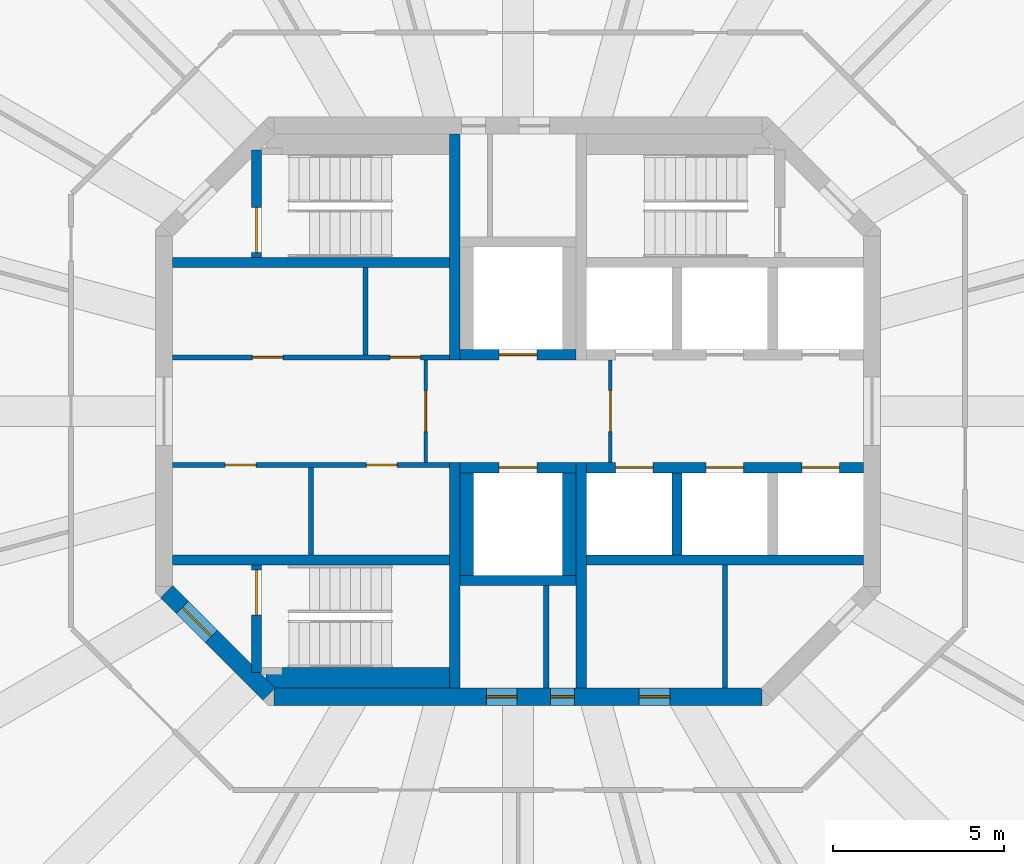
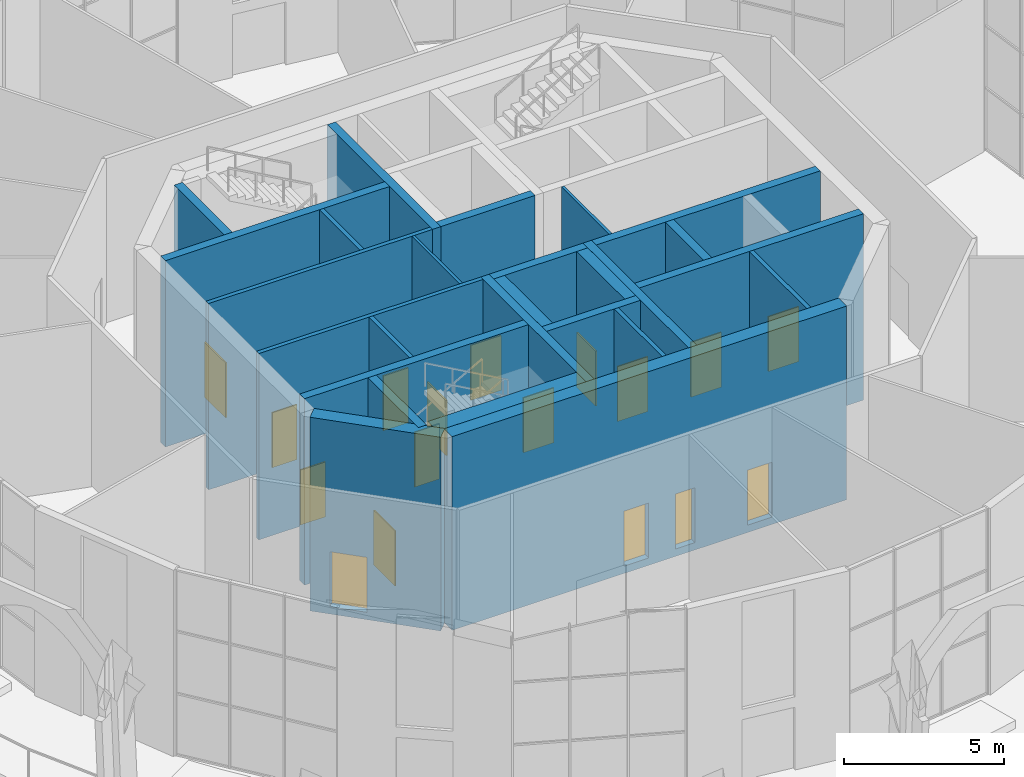
# One storey, part 11 of 17: 26 walls, 17 doors, 17 openings.
"""IFC4 building model written with IfcOpenShell, lengths in metres."""

from ifc_helpers import new_model, si_unit, direction, frame, frame_2d, origin, place, context, subcontext, project, spatial, rectangle, extrude, material, layer, layer_set, type_object, element, fill, save


model = new_model("IFC4")

# Units and contexts
model_context = context("Model", 3, precision=1e-05, world=origin(), true_north=direction((0.0, 1.0)))
body_context = subcontext(model_context, "Body", "Model", "MODEL_VIEW")
ifc_project = project(units=[si_unit("LENGTHUNIT", "METRE"), si_unit("AREAUNIT", "SQUARE_METRE"), si_unit("VOLUMEUNIT", "CUBIC_METRE"), si_unit("PLANEANGLEUNIT", "RADIAN"), si_unit("MASSUNIT", "GRAM", prefix="KILO")], contexts=[model_context])

# Site, building, storey
site_placement = place(None, origin())
site = spatial("IfcSite", under=ifc_project, at=site_placement, CompositionType="ELEMENT")
building_placement = place(site_placement, origin())
building = spatial("IfcBuilding", under=site, at=building_placement, Name="Torre Triforio", CompositionType="ELEMENT")
storey_placement = place(building_placement, frame((0.0, 0.0, 276.0)))
storey = spatial("IfcBuildingStorey", under=building, at=storey_placement, Name="L64", CompositionType="ELEMENT", Elevation=276.0)

# Walls
ifc_material_1 = material(Name="Concrete C40", Category="concrete")
ifc_layer_1 = layer(ifc_material_1, 0.300048828125)
ifc_layer_set_1 = layer_set([ifc_layer_1], Name="Concrete C40")
wall_type_1 = type_object("IfcWallType", Name="Core wall 300 mm C40 EI 120", PredefinedType="SHEAR", material=ifc_layer_set_1)
for number, where, z_axis, x_axis, name in (
    (1, (-1.85009765625, 1.5, 0.0), (0.0, 0.0, 1.0), (0.0, 1.0, 0.0), "Core wall"),
    (2, (-1.85009765625, -8.10009765625, 0.0), (0.0, 0.0, 1.0), (0.0, 1.0, 0.0), "Core wall"),
    (3, (1.85009765625, -8.10009765625, 0.0), (0.0, 0.0, 1.0), (0.0, 1.0, 0.0), "Core wall"),
):
    element("IfcWall", number, at=place(storey_placement, frame(where, z_axis=z_axis, x_axis=x_axis)), inside=storey, type_object=wall_type_1, Name=name, PredefinedType="SHEAR", context=body_context, shape_type="SweptSolid", body=[
        extrude(rectangle(XDim=6.60009765625, YDim=0.300048828125, at=frame_2d((3.300048828125, 0.0))), origin(), (0.0, 0.0, 1.0), 7.1201171875),
    ])

# Wall, openings, doors
ifc_layer_2 = layer(ifc_material_1, 0.5)
ifc_layer_set_2 = layer_set([ifc_layer_2], Name="Concrete C40")
wall_type_2 = type_object("IfcWallType", Name="Core wall 500 mm C40 EI 120", PredefinedType="SHEAR", material=ifc_layer_set_2)
wall_1_placement = place(storey_placement, frame((-7.1298828125, -8.35009765625, -0.280029296875), z_axis=(0.0, 0.0, 1.0), x_axis=(1.0, 0.0, 0.0)))
wall_1 = element("IfcWall", 4, at=wall_1_placement, inside=storey, type_object=wall_type_2, Name="Core wall", PredefinedType="SHEAR", context=body_context, shape_type="SweptSolid", body=[
    extrude(rectangle(XDim=14.259765625, YDim=0.5, at=frame_2d((7.1298828125, 0.0))), origin(), (0.0, 0.0, 1.0), 7.400146484375),
])
opening_1_placement = place(wall_1_placement, frame((8.080078125, 0.0, 0.280029296875)))
opening_1 = element("IfcOpeningElement", 5, at=opening_1_placement, cuts=wall_1, Name="Opening RISER-S", PredefinedType="OPENING", context=body_context, shape_type="SweptSolid", body=[
    extrude(rectangle(XDim=0.699951171875, YDim=2.10009765625, at=frame_2d((0.35009765625, 1.050048828125))), frame((0.0, 0.260009765625, 0.0), z_axis=(0.0, -1.0, 0.0), x_axis=(1.0, 0.0, 0.0)), (0.0, 0.0, 1.0), 0.52001953125),
])
opening_2_placement = place(wall_1_placement, frame((6.205078125, 0.0, 0.280029296875)))
opening_2 = element("IfcOpeningElement", 6, at=opening_2_placement, cuts=wall_1, Name="Opening SW-01B", PredefinedType="OPENING", context=body_context, shape_type="SweptSolid", body=[
    extrude(rectangle(XDim=0.89990234375, YDim=2.10009765625, at=frame_2d((0.449951171875, 1.050048828125))), frame((0.0, 0.260009765625, 0.0), z_axis=(0.0, -1.0, 0.0), x_axis=(1.0, 0.0, 0.0)), (0.0, 0.0, 1.0), 0.52001953125),
])
opening_3_placement = place(wall_1_placement, frame((10.66748046875, 0.0, 0.280029296875)))
opening_3 = element("IfcOpeningElement", 7, at=opening_3_placement, cuts=wall_1, Name="Opening SE-01A", PredefinedType="OPENING", context=body_context, shape_type="SweptSolid", body=[
    extrude(rectangle(XDim=0.89990234375, YDim=2.10009765625, at=frame_2d((0.449951171875, 1.050048828125))), frame((0.0, 0.260009765625, 0.0), z_axis=(0.0, -1.0, 0.0), x_axis=(1.0, 0.0, 0.0)), (0.0, 0.0, 1.0), 0.52001953125),
])
ifc_material_2 = material(Name="Hollow metal fire door leaf")
door_type_1 = type_object("IfcDoorType", Name="Riser door 700 x 2100 EI 60", OperationType="NOTDEFINED", PredefinedType="DOOR", material=ifc_material_2)
door_1_placement = place(opening_1_placement, origin())
door_1 = element("IfcDoor", 8, at=door_1_placement, inside=storey, type_object=door_type_1, Name="Core door RISER-S", OperationType="SINGLE_SWING_RIGHT", OverallHeight=2.10009765625, OverallWidth=0.699951171875, PredefinedType="DOOR", context=body_context, shape_type="SweptSolid", body=[
    extrude(rectangle(XDim=0.699951171875, YDim=2.10009765625, at=frame_2d((0.35009765625, 1.050048828125))), frame((0.0, 0.02490234375, 0.0), z_axis=(0.0, -1.0, 0.0), x_axis=(1.0, 0.0, 0.0)), (0.0, 0.0, 1.0), 0.050048828125),
])
fill(opening_1, door_1)
door_type_2 = type_object("IfcDoorType", Name="Room door 900 x 2100 EI 60", OperationType="NOTDEFINED", PredefinedType="DOOR", material=ifc_material_2)
door_2_placement = place(opening_2_placement, origin())
door_2 = element("IfcDoor", 9, at=door_2_placement, inside=storey, type_object=door_type_2, Name="Core door SW-01", OperationType="SINGLE_SWING_LEFT", OverallHeight=2.10009765625, OverallWidth=0.89990234375, PredefinedType="DOOR", context=body_context, shape_type="SweptSolid", body=[
    extrude(rectangle(XDim=0.89990234375, YDim=2.10009765625, at=frame_2d((0.449951171875, 1.050048828125))), frame((0.0, 0.02490234375, 0.0), z_axis=(0.0, -1.0, 0.0), x_axis=(1.0, 0.0, 0.0)), (0.0, 0.0, 1.0), 0.050048828125),
])
fill(opening_2, door_2)
door_3_placement = place(opening_3_placement, origin())
door_3 = element("IfcDoor", 10, at=door_3_placement, inside=storey, type_object=door_type_2, Name="Core door SE-01", OperationType="SINGLE_SWING_LEFT", OverallHeight=2.10009765625, OverallWidth=0.89990234375, PredefinedType="DOOR", context=body_context, shape_type="SweptSolid", body=[
    extrude(rectangle(XDim=0.89990234375, YDim=2.10009765625, at=frame_2d((0.449951171875, 1.050048828125))), frame((0.0, 0.02490234375, 0.0), z_axis=(0.0, -1.0, 0.0), x_axis=(1.0, 0.0, 0.0)), (0.0, 0.0, 1.0), 0.050048828125),
])
fill(opening_3, door_3)

# Wall, opening, door
wall_2_placement = place(storey_placement, frame((-7.27685546875, -8.27685546875, -0.280029296875), z_axis=(0.0, 0.0, 1.0), x_axis=(-0.707106781187, 0.707106781187, 0.0)))
wall_2 = element("IfcWall", 11, at=wall_2_placement, inside=storey, type_object=wall_type_2, Name="Core wall", PredefinedType="SHEAR", context=body_context, shape_type="SweptSolid", body=[
    extrude(rectangle(XDim=4.24267578125, YDim=0.5, at=frame_2d((2.121337890625, 0.0))), origin(), (0.0, 0.0, 1.0), 7.400146484375),
])
opening_4_placement = place(wall_2_placement, frame((2.392578125, 0.0, 0.280029296875)))
opening_4 = element("IfcOpeningElement", 12, at=opening_4_placement, cuts=wall_2, Name="Opening ST3-EXIT", PredefinedType="OPENING", context=body_context, shape_type="SweptSolid", body=[
    extrude(rectangle(XDim=1.199951171875, YDim=2.10009765625, at=frame_2d((0.60009765625, 1.050048828125))), frame((0.0, 0.260009765625, 0.0), z_axis=(0.0, -1.0, 0.0), x_axis=(1.0, 0.0, 0.0)), (0.0, 0.0, 1.0), 0.52001953125),
])
door_type_3 = type_object("IfcDoorType", Name="Stair lobby door 1200 x 2100 EI 60", OperationType="NOTDEFINED", PredefinedType="DOOR", material=ifc_material_2)
door_4_placement = place(opening_4_placement, origin())
door_4 = element("IfcDoor", 13, at=door_4_placement, inside=storey, type_object=door_type_3, Name="Core door ST3-EXIT", OperationType="SINGLE_SWING_RIGHT", OverallHeight=2.10009765625, OverallWidth=1.199951171875, PredefinedType="DOOR", context=body_context, shape_type="SweptSolid", body=[
    extrude(rectangle(XDim=1.199951171875, YDim=2.10009765625, at=frame_2d((0.60009765625, 1.050048828125))), frame((0.0, 0.02490234375, 0.0), z_axis=(0.0, -1.0, 0.0), x_axis=(1.0, 0.0, 0.0)), (0.0, 0.0, 1.0), 0.050048828125),
])
fill(opening_4, door_4)

ifc_material_3 = material(Name="Block and board partition")
ifc_layer_3 = layer(ifc_material_3, 0.10009765625)
ifc_layer_set_3 = layer_set([ifc_layer_3], Name="Block and board partition")
wall_type_3 = type_object("IfcWallType", Name="Partition 100 mm EI 120", PredefinedType="PARTITIONING", material=ifc_layer_set_3)
wall_3_placement = place(storey_placement, frame((-2.699951171875, -1.5, 0.0), z_axis=(0.0, 0.0, 1.0), x_axis=(0.0, 1.0, 0.0)))
wall_3 = element("IfcWall", 14, at=wall_3_placement, inside=storey, type_object=wall_type_3, Name="Partition", PredefinedType="PARTITIONING", context=body_context, shape_type="SweptSolid", body=[
    extrude(rectangle(XDim=3.0, YDim=0.10009765625, at=frame_2d((1.5, 0.0))), origin(), (0.0, 0.0, 1.0), 7.1201171875),
])
opening_5_placement = place(wall_3_placement, frame((0.89990234375, 0.0, 0.0)))
opening_5 = element("IfcOpeningElement", 15, at=opening_5_placement, cuts=wall_3, Name="Opening FF-W", PredefinedType="OPENING", context=body_context, shape_type="SweptSolid", body=[
    extrude(rectangle(XDim=1.199951171875, YDim=2.10009765625, at=frame_2d((0.60009765625, 1.050048828125))), frame((0.0, 0.06005859375, 0.0), z_axis=(0.0, -1.0, 0.0), x_axis=(1.0, 0.0, 0.0)), (0.0, 0.0, 1.0), 0.1201171875),
])
door_type_4 = type_object("IfcDoorType", Name="Fire-fighting lobby door 1200 x 2100 EI 60", OperationType="NOTDEFINED", PredefinedType="DOOR", material=ifc_material_2)
door_5_placement = place(opening_5_placement, origin())
door_5 = element("IfcDoor", 16, at=door_5_placement, inside=storey, type_object=door_type_4, Name="Core door FF-W", OperationType="SINGLE_SWING_LEFT", OverallHeight=2.10009765625, OverallWidth=1.199951171875, PredefinedType="DOOR", context=body_context, shape_type="SweptSolid", body=[
    extrude(rectangle(XDim=1.199951171875, YDim=2.10009765625, at=frame_2d((0.60009765625, 1.050048828125))), frame((0.0, 0.02490234375, 0.0), z_axis=(0.0, -1.0, 0.0), x_axis=(1.0, 0.0, 0.0)), (0.0, 0.0, 1.0), 0.050048828125),
])
fill(opening_5, door_5)

wall_4_placement = place(storey_placement, frame((2.699951171875, -1.5, 0.0), z_axis=(0.0, 0.0, 1.0), x_axis=(0.0, 1.0, 0.0)))
wall_4 = element("IfcWall", 17, at=wall_4_placement, inside=storey, type_object=wall_type_3, Name="Partition", PredefinedType="PARTITIONING", context=body_context, shape_type="SweptSolid", body=[
    extrude(rectangle(XDim=3.0, YDim=0.10009765625, at=frame_2d((1.5, 0.0))), origin(), (0.0, 0.0, 1.0), 7.1201171875),
])
opening_6_placement = place(wall_4_placement, frame((0.89990234375, 0.0, 0.0)))
opening_6 = element("IfcOpeningElement", 18, at=opening_6_placement, cuts=wall_4, Name="Opening FF-E", PredefinedType="OPENING", context=body_context, shape_type="SweptSolid", body=[
    extrude(rectangle(XDim=1.199951171875, YDim=2.10009765625, at=frame_2d((0.60009765625, 1.050048828125))), frame((0.0, 0.06005859375, 0.0), z_axis=(0.0, -1.0, 0.0), x_axis=(1.0, 0.0, 0.0)), (0.0, 0.0, 1.0), 0.1201171875),
])
door_6_placement = place(opening_6_placement, origin())
door_6 = element("IfcDoor", 19, at=door_6_placement, inside=storey, type_object=door_type_4, Name="Core door FF-E", OperationType="SINGLE_SWING_LEFT", OverallHeight=2.10009765625, OverallWidth=1.199951171875, PredefinedType="DOOR", context=body_context, shape_type="SweptSolid", body=[
    extrude(rectangle(XDim=1.199951171875, YDim=2.10009765625, at=frame_2d((0.60009765625, 1.050048828125))), frame((0.0, 0.02490234375, 0.0), z_axis=(0.0, -1.0, 0.0), x_axis=(1.0, 0.0, 0.0)), (0.0, 0.0, 1.0), 0.050048828125),
])
fill(opening_6, door_6)

# Walls
ifc_layer_4 = layer(ifc_material_3, 0.14990234375)
ifc_layer_set_4 = layer_set([ifc_layer_4], Name="Block and board partition")
wall_type_4 = type_object("IfcWallType", Name="Partition 150 mm", PredefinedType="PARTITIONING", material=ifc_layer_set_4)
wall_5_placement = place(storey_placement, frame((6.050048828125, -8.10009765625, 0.0), z_axis=(0.0, 0.0, 1.0), x_axis=(0.0, 1.0, 0.0)))
element("IfcWall", 20, at=wall_5_placement, inside=storey, type_object=wall_type_4, Name="Partition", PredefinedType="PARTITIONING", context=body_context, shape_type="SweptSolid", body=[
    extrude(rectangle(XDim=3.60009765625, YDim=0.14990234375, at=frame_2d((1.800048828125, 0.0))), origin(), (0.0, 0.0, 1.0), 7.1201171875),
])
for number, where, z_axis, x_axis, name in (
    (21, (-4.4599609375, 1.64990234375, 0.0), (0.0, 0.0, 1.0), (0.0, 1.0, 0.0), "Partition"),
    (22, (-6.050048828125, -4.199951171875, 0.0), (0.0, 0.0, 1.0), (0.0, 1.0, 0.0), "Partition"),
):
    element("IfcWall", number, at=place(storey_placement, frame(where, z_axis=z_axis, x_axis=x_axis)), inside=storey, type_object=wall_type_4, Name=name, PredefinedType="PARTITIONING", context=body_context, shape_type="SweptSolid", body=[
        extrude(rectangle(XDim=2.550048828125, YDim=0.14990234375, at=frame_2d((1.27490234375, 0.0))), origin(), (0.0, 0.0, 1.0), 7.1201171875),
    ])
ifc_layer_5 = layer(ifc_material_3, 0.14990234375)
ifc_layer_set_5 = layer_set([ifc_layer_5], Name="Block and board partition")
wall_type_5 = type_object("IfcWallType", Name="Partition 150 mm EI 120", PredefinedType="PARTITIONING", material=ifc_layer_set_5)
wall_6_placement = place(storey_placement, frame((0.824951171875, -8.10009765625, 0.0), z_axis=(0.0, 0.0, 1.0), x_axis=(0.0, 1.0, 0.0)))
element("IfcWall", 23, at=wall_6_placement, inside=storey, type_object=wall_type_5, Name="Partition", PredefinedType="PARTITIONING", context=body_context, shape_type="SweptSolid", body=[
    extrude(rectangle(XDim=3.0, YDim=0.14990234375, at=frame_2d((1.5, 0.0))), origin(), (0.0, 0.0, 1.0), 7.1201171875),
])

# Wall, openings, doors
wall_7_placement = place(storey_placement, frame((-10.10009765625, 1.574951171875, 0.0), z_axis=(0.0, 0.0, 1.0), x_axis=(1.0, 0.0, 0.0)))
wall_7 = element("IfcWall", 24, at=wall_7_placement, inside=storey, type_object=wall_type_5, Name="Partition", PredefinedType="PARTITIONING", context=body_context, shape_type="SweptSolid", body=[
    extrude(rectangle(XDim=8.10009765625, YDim=0.14990234375, at=frame_2d((4.050048828125, 0.0))), origin(), (0.0, 0.0, 1.0), 7.1201171875),
])
opening_7_placement = place(wall_7_placement, frame((2.33251953125, 0.0, 0.0)))
opening_7 = element("IfcOpeningElement", 25, at=opening_7_placement, cuts=wall_7, Name="Opening FN-01", PredefinedType="OPENING", context=body_context, shape_type="SweptSolid", body=[
    extrude(rectangle(XDim=0.89990234375, YDim=2.10009765625, at=frame_2d((0.449951171875, 1.050048828125))), frame((0.0, 0.0849609375, 0.0), z_axis=(0.0, -1.0, 0.0), x_axis=(1.0, 0.0, 0.0)), (0.0, 0.0, 1.0), 0.169921875),
])
opening_8_placement = place(wall_7_placement, frame((6.35009765625, 0.0, 0.0)))
opening_8 = element("IfcOpeningElement", 26, at=opening_8_placement, cuts=wall_7, Name="Opening FN-02A", PredefinedType="OPENING", context=body_context, shape_type="SweptSolid", body=[
    extrude(rectangle(XDim=0.89990234375, YDim=2.10009765625, at=frame_2d((0.449951171875, 1.050048828125))), frame((0.0, 0.0849609375, 0.0), z_axis=(0.0, -1.0, 0.0), x_axis=(1.0, 0.0, 0.0)), (0.0, 0.0, 1.0), 0.169921875),
])
door_type_5 = type_object("IfcDoorType", Name="Plant room door 900 x 2100 EI 60", OperationType="NOTDEFINED", PredefinedType="DOOR", material=ifc_material_2)
door_7_placement = place(opening_8_placement, origin())
door_7 = element("IfcDoor", 27, at=door_7_placement, inside=storey, type_object=door_type_5, Name="Core door FN-02", OperationType="SINGLE_SWING_RIGHT", OverallHeight=2.10009765625, OverallWidth=0.89990234375, PredefinedType="DOOR", context=body_context, shape_type="SweptSolid", body=[
    extrude(rectangle(XDim=0.89990234375, YDim=2.10009765625, at=frame_2d((0.449951171875, 1.050048828125))), frame((0.0, 0.02490234375, 0.0), z_axis=(0.0, -1.0, 0.0), x_axis=(1.0, 0.0, 0.0)), (0.0, 0.0, 1.0), 0.050048828125),
])
fill(opening_8, door_7)
door_8_placement = place(opening_7_placement, origin())
door_8 = element("IfcDoor", 28, at=door_8_placement, inside=storey, type_object=door_type_2, Name="Core door FN-01", OperationType="SINGLE_SWING_RIGHT", OverallHeight=2.10009765625, OverallWidth=0.89990234375, PredefinedType="DOOR", context=body_context, shape_type="SweptSolid", body=[
    extrude(rectangle(XDim=0.89990234375, YDim=2.10009765625, at=frame_2d((0.449951171875, 1.050048828125))), frame((0.0, 0.02490234375, 0.0), z_axis=(0.0, -1.0, 0.0), x_axis=(1.0, 0.0, 0.0)), (0.0, 0.0, 1.0), 0.050048828125),
])
fill(opening_7, door_8)

wall_8_placement = place(storey_placement, frame((-10.10009765625, -1.574951171875, 0.0), z_axis=(0.0, 0.0, 1.0), x_axis=(1.0, 0.0, 0.0)))
wall_8 = element("IfcWall", 29, at=wall_8_placement, inside=storey, type_object=wall_type_5, Name="Partition", PredefinedType="PARTITIONING", context=body_context, shape_type="SweptSolid", body=[
    extrude(rectangle(XDim=8.10009765625, YDim=0.14990234375, at=frame_2d((4.050048828125, 0.0))), origin(), (0.0, 0.0, 1.0), 7.1201171875),
])
opening_9_placement = place(wall_8_placement, frame((1.53759765625, 0.0, 0.0)))
opening_9 = element("IfcOpeningElement", 30, at=opening_9_placement, cuts=wall_8, Name="Opening FS-01", PredefinedType="OPENING", context=body_context, shape_type="SweptSolid", body=[
    extrude(rectangle(XDim=0.89990234375, YDim=2.10009765625, at=frame_2d((0.449951171875, 1.050048828125))), frame((0.0, 0.0849609375, 0.0), z_axis=(0.0, -1.0, 0.0), x_axis=(1.0, 0.0, 0.0)), (0.0, 0.0, 1.0), 0.169921875),
])
opening_10_placement = place(wall_8_placement, frame((5.66259765625, 0.0, 0.0)))
opening_10 = element("IfcOpeningElement", 31, at=opening_10_placement, cuts=wall_8, Name="Opening FS-02", PredefinedType="OPENING", context=body_context, shape_type="SweptSolid", body=[
    extrude(rectangle(XDim=0.89990234375, YDim=2.10009765625, at=frame_2d((0.449951171875, 1.050048828125))), frame((0.0, 0.0849609375, 0.0), z_axis=(0.0, -1.0, 0.0), x_axis=(1.0, 0.0, 0.0)), (0.0, 0.0, 1.0), 0.169921875),
])
door_9_placement = place(opening_9_placement, origin())
door_9 = element("IfcDoor", 32, at=door_9_placement, inside=storey, type_object=door_type_2, Name="Core door FS-01", OperationType="SINGLE_SWING_LEFT", OverallHeight=2.10009765625, OverallWidth=0.89990234375, PredefinedType="DOOR", context=body_context, shape_type="SweptSolid", body=[
    extrude(rectangle(XDim=0.89990234375, YDim=2.10009765625, at=frame_2d((0.449951171875, 1.050048828125))), frame((0.0, 0.02490234375, 0.0), z_axis=(0.0, -1.0, 0.0), x_axis=(1.0, 0.0, 0.0)), (0.0, 0.0, 1.0), 0.050048828125),
])
fill(opening_9, door_9)
door_10_placement = place(opening_10_placement, origin())
door_10 = element("IfcDoor", 33, at=door_10_placement, inside=storey, type_object=door_type_2, Name="Core door FS-02", OperationType="SINGLE_SWING_LEFT", OverallHeight=2.10009765625, OverallWidth=0.89990234375, PredefinedType="DOOR", context=body_context, shape_type="SweptSolid", body=[
    extrude(rectangle(XDim=0.89990234375, YDim=2.10009765625, at=frame_2d((0.449951171875, 1.050048828125))), frame((0.0, 0.02490234375, 0.0), z_axis=(0.0, -1.0, 0.0), x_axis=(1.0, 0.0, 0.0)), (0.0, 0.0, 1.0), 0.050048828125),
])
fill(opening_10, door_10)

# Walls
ifc_layer_6 = layer(ifc_material_1, 0.300048828125)
ifc_layer_set_6 = layer_set([ifc_layer_6], Name="Concrete C40")
wall_type_6 = type_object("IfcWallType", Name="Shaft wall 300 mm C40 EI 120", PredefinedType="SOLIDWALL", material=ifc_layer_set_6)
for number, where, z_axis, x_axis, name in (
    (34, (-10.10009765625, 4.35009765625, 0.0), (0.0, 0.0, 1.0), (1.0, 0.0, 0.0), "Shaft wall"),
    (35, (-10.10009765625, -4.35009765625, 0.0), (0.0, 0.0, 1.0), (1.0, 0.0, 0.0), "Shaft wall"),
    (36, (2.0, -4.35009765625, 0.0), (0.0, 0.0, 1.0), (1.0, 0.0, 0.0), "Shaft wall"),
):
    element("IfcWall", number, at=place(storey_placement, frame(where, z_axis=z_axis, x_axis=x_axis)), inside=storey, type_object=wall_type_6, Name=name, PredefinedType="SOLIDWALL", context=body_context, shape_type="SweptSolid", body=[
        extrude(rectangle(XDim=8.10009765625, YDim=0.300048828125, at=frame_2d((4.050048828125, 0.0))), origin(), (0.0, 0.0, 1.0), 7.1201171875),
    ])

# Wall, openings, doors
wall_9_placement = place(storey_placement, frame((2.0, -1.64990234375, 0.0), z_axis=(0.0, 0.0, 1.0), x_axis=(1.0, 0.0, 0.0)))
wall_9 = element("IfcWall", 37, at=wall_9_placement, inside=storey, type_object=wall_type_6, Name="Shaft wall", PredefinedType="SOLIDWALL", context=body_context, shape_type="SweptSolid", body=[
    extrude(rectangle(XDim=8.10009765625, YDim=0.300048828125, at=frame_2d((4.050048828125, 0.0))), origin(), (0.0, 0.0, 1.0), 7.1201171875),
])
opening_11_placement = place(wall_9_placement, frame((0.85009765625, 0.0, 0.0)))
opening_11 = element("IfcOpeningElement", 38, at=opening_11_placement, cuts=wall_9, Name="Opening LD", PredefinedType="OPENING", context=body_context, shape_type="SweptSolid", body=[
    extrude(rectangle(XDim=1.10009765625, YDim=2.10009765625, at=frame_2d((0.550048828125, 1.050048828125))), frame((0.0, 0.159912109375, 0.0), z_axis=(0.0, -1.0, 0.0), x_axis=(1.0, 0.0, 0.0)), (0.0, 0.0, 1.0), 0.320068359375),
])
opening_12_placement = place(wall_9_placement, frame((3.5, 0.0, 0.0)))
opening_12 = element("IfcOpeningElement", 39, at=opening_12_placement, cuts=wall_9, Name="Opening LD", PredefinedType="OPENING", context=body_context, shape_type="SweptSolid", body=[
    extrude(rectangle(XDim=1.10009765625, YDim=2.10009765625, at=frame_2d((0.550048828125, 1.050048828125))), frame((0.0, 0.159912109375, 0.0), z_axis=(0.0, -1.0, 0.0), x_axis=(1.0, 0.0, 0.0)), (0.0, 0.0, 1.0), 0.320068359375),
])
opening_13_placement = place(wall_9_placement, frame((6.300048828125, 0.0, 0.0)))
opening_13 = element("IfcOpeningElement", 40, at=opening_13_placement, cuts=wall_9, Name="Opening LD", PredefinedType="OPENING", context=body_context, shape_type="SweptSolid", body=[
    extrude(rectangle(XDim=1.10009765625, YDim=2.10009765625, at=frame_2d((0.550048828125, 1.050048828125))), frame((0.0, 0.159912109375, 0.0), z_axis=(0.0, -1.0, 0.0), x_axis=(1.0, 0.0, 0.0)), (0.0, 0.0, 1.0), 0.320068359375),
])
door_type_6 = type_object("IfcDoorType", Name="Landing door 1100 x 2100 EI 60", OperationType="DOUBLE_DOOR_SLIDING", PredefinedType="DOOR", material=ifc_material_2)
door_11_placement = place(opening_11_placement, origin())
door_11 = element("IfcDoor", 41, at=door_11_placement, inside=storey, type_object=door_type_6, Name="Landing door HR4", OperationType="DOUBLE_DOOR_SLIDING", OverallHeight=2.10009765625, OverallWidth=1.10009765625, PredefinedType="DOOR", context=body_context, shape_type="SweptSolid", body=[
    extrude(rectangle(XDim=1.10009765625, YDim=2.10009765625, at=frame_2d((0.550048828125, 1.050048828125))), frame((0.0, 0.02490234375, 0.0), z_axis=(0.0, -1.0, 0.0), x_axis=(1.0, 0.0, 0.0)), (0.0, 0.0, 1.0), 0.050048828125),
])
fill(opening_11, door_11)
door_12_placement = place(opening_12_placement, origin())
door_12 = element("IfcDoor", 42, at=door_12_placement, inside=storey, type_object=door_type_6, Name="Landing door HR5", OperationType="DOUBLE_DOOR_SLIDING", OverallHeight=2.10009765625, OverallWidth=1.10009765625, PredefinedType="DOOR", context=body_context, shape_type="SweptSolid", body=[
    extrude(rectangle(XDim=1.10009765625, YDim=2.10009765625, at=frame_2d((0.550048828125, 1.050048828125))), frame((0.0, 0.02490234375, 0.0), z_axis=(0.0, -1.0, 0.0), x_axis=(1.0, 0.0, 0.0)), (0.0, 0.0, 1.0), 0.050048828125),
])
fill(opening_12, door_12)
door_13_placement = place(opening_13_placement, origin())
door_13 = element("IfcDoor", 43, at=door_13_placement, inside=storey, type_object=door_type_6, Name="Landing door HR6", OperationType="DOUBLE_DOOR_SLIDING", OverallHeight=2.10009765625, OverallWidth=1.10009765625, PredefinedType="DOOR", context=body_context, shape_type="SweptSolid", body=[
    extrude(rectangle(XDim=1.10009765625, YDim=2.10009765625, at=frame_2d((0.550048828125, 1.050048828125))), frame((0.0, 0.02490234375, 0.0), z_axis=(0.0, -1.0, 0.0), x_axis=(1.0, 0.0, 0.0)), (0.0, 0.0, 1.0), 0.050048828125),
])
fill(opening_13, door_13)

# Wall
wall_10_placement = place(storey_placement, frame((4.64990234375, -4.199951171875, 0.0), z_axis=(0.0, 0.0, 1.0), x_axis=(0.0, 1.0, 0.0)))
element("IfcWall", 44, at=wall_10_placement, inside=storey, type_object=wall_type_6, Name="Shaft wall", PredefinedType="SOLIDWALL", context=body_context, shape_type="SweptSolid", body=[
    extrude(rectangle(XDim=2.39990234375, YDim=0.300048828125, at=frame_2d((1.199951171875, 0.0))), origin(), (0.0, 0.0, 1.0), 7.1201171875),
])

# Wall, opening, door
wall_11_placement = place(storey_placement, frame((-1.699951171875, 1.64990234375, 0.0), z_axis=(0.0, 0.0, 1.0), x_axis=(1.0, 0.0, 0.0)))
wall_11 = element("IfcWall", 45, at=wall_11_placement, inside=storey, type_object=wall_type_6, Name="Shaft wall", PredefinedType="SOLIDWALL", context=body_context, shape_type="SweptSolid", body=[
    extrude(rectangle(XDim=3.39990234375, YDim=0.300048828125, at=frame_2d((1.699951171875, 0.0))), origin(), (0.0, 0.0, 1.0), 7.1201171875),
])
opening_14_placement = place(wall_11_placement, frame((1.14990234375, 0.0, 0.0)))
opening_14 = element("IfcOpeningElement", 46, at=opening_14_placement, cuts=wall_11, Name="Opening LD", PredefinedType="OPENING", context=body_context, shape_type="SweptSolid", body=[
    extrude(rectangle(XDim=1.10009765625, YDim=2.10009765625, at=frame_2d((0.550048828125, 1.050048828125))), frame((0.0, 0.159912109375, 0.0), z_axis=(0.0, -1.0, 0.0), x_axis=(1.0, 0.0, 0.0)), (0.0, 0.0, 1.0), 0.320068359375),
])
door_14_placement = place(opening_14_placement, origin())
door_14 = element("IfcDoor", 47, at=door_14_placement, inside=storey, type_object=door_type_6, Name="Landing door FFL1", OperationType="DOUBLE_DOOR_SLIDING", OverallHeight=2.10009765625, OverallWidth=1.10009765625, PredefinedType="DOOR", context=body_context, shape_type="SweptSolid", body=[
    extrude(rectangle(XDim=1.10009765625, YDim=2.10009765625, at=frame_2d((0.550048828125, 1.050048828125))), frame((0.0, 0.02490234375, 0.0), z_axis=(0.0, -1.0, 0.0), x_axis=(1.0, 0.0, 0.0)), (0.0, 0.0, 1.0), 0.050048828125),
])
fill(opening_14, door_14)

wall_12_placement = place(storey_placement, frame((-1.699951171875, -1.64990234375, 0.0), z_axis=(0.0, 0.0, 1.0), x_axis=(1.0, 0.0, 0.0)))
wall_12 = element("IfcWall", 48, at=wall_12_placement, inside=storey, type_object=wall_type_6, Name="Shaft wall", PredefinedType="SOLIDWALL", context=body_context, shape_type="SweptSolid", body=[
    extrude(rectangle(XDim=3.39990234375, YDim=0.300048828125, at=frame_2d((1.699951171875, 0.0))), origin(), (0.0, 0.0, 1.0), 7.1201171875),
])
opening_15_placement = place(wall_12_placement, frame((1.14990234375, 0.0, 0.0)))
opening_15 = element("IfcOpeningElement", 49, at=opening_15_placement, cuts=wall_12, Name="Opening LD", PredefinedType="OPENING", context=body_context, shape_type="SweptSolid", body=[
    extrude(rectangle(XDim=1.10009765625, YDim=2.10009765625, at=frame_2d((0.550048828125, 1.050048828125))), frame((0.0, 0.159912109375, 0.0), z_axis=(0.0, -1.0, 0.0), x_axis=(1.0, 0.0, 0.0)), (0.0, 0.0, 1.0), 0.320068359375),
])
door_15_placement = place(opening_15_placement, origin())
door_15 = element("IfcDoor", 50, at=door_15_placement, inside=storey, type_object=door_type_6, Name="Landing door FFL2", OperationType="DOUBLE_DOOR_SLIDING", OverallHeight=2.10009765625, OverallWidth=1.10009765625, PredefinedType="DOOR", context=body_context, shape_type="SweptSolid", body=[
    extrude(rectangle(XDim=1.10009765625, YDim=2.10009765625, at=frame_2d((0.550048828125, 1.050048828125))), frame((0.0, 0.02490234375, 0.0), z_axis=(0.0, -1.0, 0.0), x_axis=(1.0, 0.0, 0.0)), (0.0, 0.0, 1.0), 0.050048828125),
])
fill(opening_15, door_15)

# Walls
wall_13_placement = place(storey_placement, frame((-1.699951171875, -4.949951171875, 0.0), z_axis=(0.0, 0.0, 1.0), x_axis=(1.0, 0.0, 0.0)))
element("IfcWall", 51, at=wall_13_placement, inside=storey, type_object=wall_type_6, Name="Shaft wall", PredefinedType="SOLIDWALL", context=body_context, shape_type="SweptSolid", body=[
    extrude(rectangle(XDim=3.39990234375, YDim=0.300048828125, at=frame_2d((1.699951171875, 0.0))), origin(), (0.0, 0.0, 1.0), 7.1201171875),
])
ifc_layer_7 = layer(ifc_material_1, 0.39990234375)
ifc_layer_set_7 = layer_set([ifc_layer_7], Name="Concrete C40")
wall_type_7 = type_object("IfcWallType", Name="Shaft wall 400 mm C40 EI 120", PredefinedType="SOLIDWALL", material=ifc_layer_set_7)
for number, where, z_axis, x_axis, name in (
    (52, (-1.5, -4.800048828125, 0.0), (0.0, 0.0, 1.0), (0.0, 1.0, 0.0), "Shaft wall"),
    (53, (1.5, -4.800048828125, 0.0), (0.0, 0.0, 1.0), (0.0, 1.0, 0.0), "Shaft wall"),
):
    element("IfcWall", number, at=place(storey_placement, frame(where, z_axis=z_axis, x_axis=x_axis)), inside=storey, type_object=wall_type_7, Name=name, PredefinedType="SOLIDWALL", context=body_context, shape_type="SweptSolid", body=[
        extrude(rectangle(XDim=3.0, YDim=0.39990234375, at=frame_2d((1.5, 0.0))), origin(), (0.0, 0.0, 1.0), 7.1201171875),
    ])

# Wall, opening, door
ifc_layer_8 = layer(ifc_material_1, 0.300048828125)
ifc_layer_set_8 = layer_set([ifc_layer_8], Name="Concrete C40")
wall_type_8 = type_object("IfcWallType", Name="Stair wall 300 mm C40 EI 120", PredefinedType="SHEAR", material=ifc_layer_set_8)
wall_14_placement = place(storey_placement, frame((-7.64990234375, 4.5, 0.0), z_axis=(0.0, 0.0, 1.0), x_axis=(0.0, 1.0, 0.0)))
wall_14 = element("IfcWall", 54, at=wall_14_placement, inside=storey, type_object=wall_type_8, Name="Stair wall", PredefinedType="SHEAR", context=body_context, shape_type="SweptSolid", body=[
    extrude(rectangle(XDim=3.139892578125, YDim=0.300048828125, at=frame_2d((1.56982421875, 0.0))), origin(), (0.0, 0.0, 1.0), 7.1201171875),
])
opening_16_placement = place(wall_14_placement, frame((0.139892578125, 0.0, 0.0)))
opening_16 = element("IfcOpeningElement", 55, at=opening_16_placement, cuts=wall_14, Name="Opening ST1-STA", PredefinedType="OPENING", context=body_context, shape_type="SweptSolid", body=[
    extrude(rectangle(XDim=1.320068359375, YDim=2.10009765625, at=frame_2d((0.66015625, 1.050048828125))), frame((0.0, 0.159912109375, 0.0), z_axis=(0.0, -1.0, 0.0), x_axis=(1.0, 0.0, 0.0)), (0.0, 0.0, 1.0), 0.320068359375),
])
door_type_7 = type_object("IfcDoorType", Name="Stair door 1320 x 2100 EI 90", OperationType="DOUBLE_DOOR_SINGLE_SWING", PredefinedType="DOOR", material=ifc_material_2)
door_16_placement = place(opening_16_placement, origin())
door_16 = element("IfcDoor", 56, at=door_16_placement, inside=storey, type_object=door_type_7, Name="Core door ST1-ST", OperationType="DOUBLE_DOOR_SINGLE_SWING", OverallHeight=2.10009765625, OverallWidth=1.320068359375, PredefinedType="DOOR", context=body_context, shape_type="SweptSolid", body=[
    extrude(rectangle(XDim=1.320068359375, YDim=2.10009765625, at=frame_2d((0.66015625, 1.050048828125))), frame((0.0, 0.02490234375, 0.0), z_axis=(0.0, -1.0, 0.0), x_axis=(1.0, 0.0, 0.0)), (0.0, 0.0, 1.0), 0.050048828125),
])
fill(opening_16, door_16)

wall_15_placement = place(storey_placement, frame((-7.64990234375, -7.639892578125, 0.0), z_axis=(0.0, 0.0, 1.0), x_axis=(0.0, 1.0, 0.0)))
wall_15 = element("IfcWall", 57, at=wall_15_placement, inside=storey, type_object=wall_type_8, Name="Stair wall", PredefinedType="SHEAR", context=body_context, shape_type="SweptSolid", body=[
    extrude(rectangle(XDim=3.139892578125, YDim=0.300048828125, at=frame_2d((1.56982421875, 0.0))), origin(), (0.0, 0.0, 1.0), 7.1201171875),
])
opening_17_placement = place(wall_15_placement, frame((1.679931640625, 0.0, 0.0)))
opening_17 = element("IfcOpeningElement", 58, at=opening_17_placement, cuts=wall_15, Name="Opening ST3-STA", PredefinedType="OPENING", context=body_context, shape_type="SweptSolid", body=[
    extrude(rectangle(XDim=1.320068359375, YDim=2.10009765625, at=frame_2d((0.66015625, 1.050048828125))), frame((0.0, 0.159912109375, 0.0), z_axis=(0.0, -1.0, 0.0), x_axis=(1.0, 0.0, 0.0)), (0.0, 0.0, 1.0), 0.320068359375),
])
door_17_placement = place(opening_17_placement, origin())
door_17 = element("IfcDoor", 59, at=door_17_placement, inside=storey, type_object=door_type_7, Name="Core door ST3-ST", OperationType="DOUBLE_DOOR_SINGLE_SWING", OverallHeight=2.10009765625, OverallWidth=1.320068359375, PredefinedType="DOOR", context=body_context, shape_type="SweptSolid", body=[
    extrude(rectangle(XDim=1.320068359375, YDim=2.10009765625, at=frame_2d((0.66015625, 1.050048828125))), frame((0.0, 0.02490234375, 0.0), z_axis=(0.0, -1.0, 0.0), x_axis=(1.0, 0.0, 0.0)), (0.0, 0.0, 1.0), 0.050048828125),
])
fill(opening_17, door_17)

# Wall
ifc_layer_9 = layer(ifc_material_1, 0.60009765625)
ifc_layer_set_9 = layer_set([ifc_layer_9], Name="Concrete C40")
wall_type_9 = type_object("IfcWallType", Name="Stair wall 600 mm C40 EI 120", PredefinedType="SHEAR", material=ifc_layer_set_9)
wall_16_placement = place(storey_placement, frame((-7.3701171875, -7.800048828125, 0.0), z_axis=(0.0, 0.0, 1.0), x_axis=(1.0, 0.0, 0.0)))
element("IfcWall", 60, at=wall_16_placement, inside=storey, type_object=wall_type_9, Name="Stair wall", PredefinedType="SHEAR", context=body_context, shape_type="SweptSolid", body=[
    extrude(rectangle(XDim=5.3701171875, YDim=0.60009765625, at=frame_2d((2.68505859375, 0.0))), origin(), (0.0, 0.0, 1.0), 7.1201171875),
])

save(model, "model.ifc")
